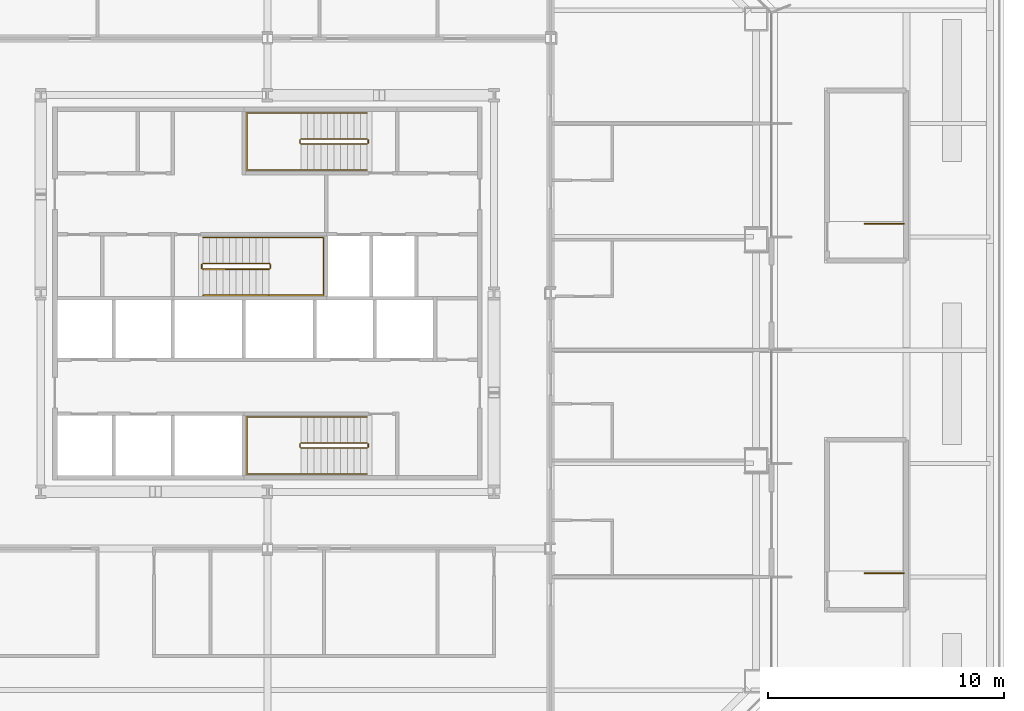
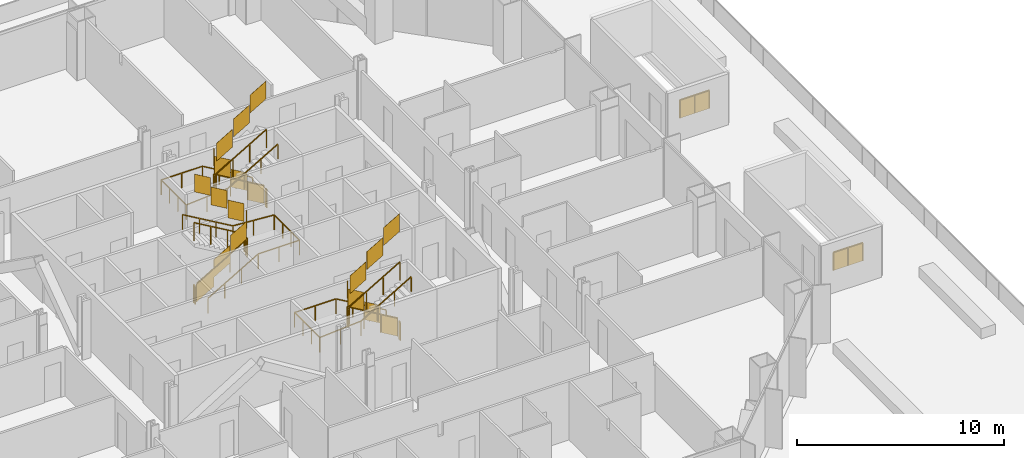
# One storey, part 18 of 18: 11 railings.
"""IFC4 building model written with IfcOpenShell, lengths in metres."""

from ifc_helpers import new_model, si_unit, direction, frame, origin, origin_2d, place, context, subcontext, project, spatial, polyline, rectangle, outline, extrude, material, type_object, element, save


model = new_model("IFC4")

# Units and contexts
model_context = context("Model", 3, precision=1e-05, world=origin(), true_north=direction((0.0, 1.0)))
body_context = subcontext(model_context, "Body", "Model", "MODEL_VIEW")
ifc_project = project(units=[si_unit("LENGTHUNIT", "METRE"), si_unit("AREAUNIT", "SQUARE_METRE"), si_unit("VOLUMEUNIT", "CUBIC_METRE"), si_unit("PLANEANGLEUNIT", "RADIAN"), si_unit("MASSUNIT", "GRAM", prefix="KILO")], contexts=[model_context])

# Site, building, storey
site_placement = place(None, origin())
site = spatial("IfcSite", under=ifc_project, at=site_placement, CompositionType="ELEMENT")
building_placement = place(site_placement, origin())
building = spatial("IfcBuilding", under=site, at=building_placement, Name="Cairn Pilgrim Tower", CompositionType="ELEMENT")
storey_placement = place(building_placement, frame((0.0, 0.0, 40.199951171875)))
storey = spatial("IfcBuildingStorey", under=building, at=storey_placement, Name="L07", CompositionType="ELEMENT", Elevation=40.199951171875)

# Railings
ifc_material = material(Name="Painted steel", Category="steel")
railing_type_1 = type_object("IfcRailingType", Name="PODIUM STAIR GUARD 1100", PredefinedType="GUARDRAIL", material=ifc_material)
for number, where, name in (
    (1, (34.14990234375, -9.449951171875, 0.0), "L07 ST-ES2 top well guard 1"),
    (2, (34.14990234375, 5.35009765625, 0.0), "L07 ST-ES3 top well guard 1"),
):
    element("IfcRailing", number, at=place(storey_placement, frame(where)), inside=storey, type_object=railing_type_1, Name=name, PredefinedType="GUARDRAIL", context=body_context, shape_type="SweptSolid", body=[
        extrude(rectangle(XDim=0.048095703125, YDim=0.048095703125, at=origin_2d()), frame((0.0, 0.0, 1.076171875), z_axis=(-1.0, 0.0, 0.0), x_axis=(0.0, -1.0, 0.0)), (0.0, 0.0, 1.0), 1.64990234375),
        extrude(rectangle(XDim=0.0419921875, YDim=0.0419921875, at=origin_2d()), origin(), (0.0, 0.0, 1.0), 1.052001953125),
        extrude(rectangle(XDim=0.0419921875, YDim=0.0419921875, at=origin_2d()), frame((-0.824951171875, 0.0, 0.0)), (0.0, 0.0, 1.0), 1.052001953125),
        extrude(rectangle(XDim=0.0419921875, YDim=0.0419921875, at=origin_2d()), frame((-1.64990234375, 0.0, 0.0)), (0.0, 0.0, 1.0), 1.052001953125),
        extrude(outline(polyline([(0.02099609375, 0.0), (0.803955078125, 0.0), (0.803955078125, 1.052001953125), (0.02099609375, 1.052001953125), (0.02099609375, 0.0)])), frame((0.0, -0.005859375, 0.0), z_axis=(0.0, 1.0, 0.0), x_axis=(-1.0, 0.0, 0.0)), (0.0, 0.0, 1.0), 0.011962890625),
        extrude(outline(polyline([(0.02099609375, 0.0), (0.803955078125, 0.0), (0.803955078125, 1.052001953125), (0.02099609375, 1.052001953125), (0.02099609375, 0.0)])), frame((-0.824951171875, -0.005859375, 0.0), z_axis=(0.0, 1.0, 0.0), x_axis=(-1.0, 0.0, 0.0)), (0.0, 0.0, 1.0), 0.011962890625),
    ])
railing_type_2 = type_object("IfcRailingType", Name="STAIR GUARD 1100", PredefinedType="GUARDRAIL", material=ifc_material)
railing_1_placement = place(storey_placement, frame((11.425048828125, -3.925048828125, 0.16357421875)))
element("IfcRailing", 3, at=railing_1_placement, inside=storey, type_object=railing_type_2, Name="L07 ST-A stair guard 1", PredefinedType="GUARDRAIL", context=body_context, shape_type="SweptSolid", body=[
    extrude(rectangle(XDim=0.048095703125, YDim=0.048095703125, at=origin_2d()), frame((0.0, 0.0, 1.076171875), z_axis=(-0.863360870873, 0.0, 0.504586966384), x_axis=(0.0, -1.0, 0.0)), (0.0, 0.0, 1.0), 3.2431640625),
    extrude(rectangle(XDim=0.048095703125, YDim=0.048095703125, at=origin_2d()), frame((-2.800048828125, 0.0, 2.71240234375), z_axis=(-0.707106781187, -0.707106781187, 0.0), x_axis=(0.707106781187, -0.707106781187, 0.0)), (0.0, 0.0, 1.0), 0.07080078125),
    extrude(rectangle(XDim=0.048095703125, YDim=0.048095703125, at=origin_2d()), frame((-2.85009765625, -0.050048828125, 2.71240234375), z_axis=(0.0, -1.0, 0.0), x_axis=(1.0, 0.0, 0.0)), (0.0, 0.0, 1.0), 0.125),
    extrude(rectangle(XDim=0.048095703125, YDim=0.048095703125, at=origin_2d()), frame((-2.85009765625, -0.175048828125, 2.71240234375), z_axis=(0.280916556609, -0.279546231943, 0.91811752648), x_axis=(0.705375805398, 0.708833529934, 0.0)), (0.0, 0.0, 1.0), 0.17822265625),
    extrude(rectangle(XDim=0.048095703125, YDim=0.048095703125, at=origin_2d()), frame((-2.800048828125, -0.224853515625, 2.8759765625), z_axis=(0.863360870873, 0.0, 0.504586966384), x_axis=(0.0, 1.0, 0.0)), (0.0, 0.0, 1.0), 3.2431640625),
    extrude(rectangle(XDim=0.0419921875, YDim=0.0419921875, at=origin_2d()), origin(), (0.0, 0.0, 1.0), 1.052001953125),
    extrude(rectangle(XDim=0.0419921875, YDim=0.0419921875, at=origin_2d()), frame((-0.933349609375, 0.0, 0.54541015625)), (0.0, 0.0, 1.0), 1.052001953125),
    extrude(rectangle(XDim=0.0419921875, YDim=0.0419921875, at=origin_2d()), frame((-1.86669921875, 0.0, 1.091064453125)), (0.0, 0.0, 1.0), 1.052001953125),
    extrude(rectangle(XDim=0.0419921875, YDim=0.0419921875, at=origin_2d()), frame((-2.800048828125, 0.0, 1.636474609375)), (0.0, 0.0, 1.0), 1.052001953125),
    extrude(rectangle(XDim=0.0419921875, YDim=0.0419921875, at=origin_2d()), frame((-2.85009765625, -0.050048828125, 1.636474609375)), (0.0, 0.0, 1.0), 1.052001953125),
    extrude(rectangle(XDim=0.0419921875, YDim=0.0419921875, at=origin_2d()), frame((-2.85009765625, -0.175048828125, 1.636474609375)), (0.0, 0.0, 1.0), 1.052001953125),
    extrude(rectangle(XDim=0.0419921875, YDim=0.0419921875, at=origin_2d()), frame((-2.800048828125, -0.224853515625, 1.800048828125)), (0.0, 0.0, 1.0), 1.052001953125),
    extrude(rectangle(XDim=0.0419921875, YDim=0.0419921875, at=origin_2d()), frame((-1.86669921875, -0.224853515625, 2.345458984375)), (0.0, 0.0, 1.0), 1.052001953125),
    extrude(rectangle(XDim=0.0419921875, YDim=0.0419921875, at=origin_2d()), frame((-0.933349609375, -0.224853515625, 2.89111328125)), (0.0, 0.0, 1.0), 1.052001953125),
    extrude(rectangle(XDim=0.0419921875, YDim=0.0419921875, at=origin_2d()), frame((0.0, -0.224853515625, 3.4365234375)), (0.0, 0.0, 1.0), 1.052001953125),
    extrude(outline(polyline([(0.02099609375, 0.01220703125), (0.912353515625, 0.533203125), (0.912353515625, 1.585205078125), (0.02099609375, 1.064208984375), (0.02099609375, 0.01220703125)])), frame((0.0, -0.005859375, 0.0), z_axis=(0.0, 1.0, 0.0), x_axis=(-1.0, 0.0, 0.0)), (0.0, 0.0, 1.0), 0.011962890625),
    extrude(outline(polyline([(0.02099609375, 0.557861328125), (0.912353515625, 1.07861328125), (0.912353515625, 2.130615234375), (0.02099609375, 1.60986328125), (0.02099609375, 0.557861328125)])), frame((-0.933349609375, -0.005859375, 0.54541015625), z_axis=(0.0, 1.0, 0.0), x_axis=(-1.0, 0.0, 0.0)), (0.0, 0.0, 1.0), 0.011962890625),
    extrude(outline(polyline([(0.02099609375, 1.103271484375), (0.912353515625, 1.624267578125), (0.912353515625, 2.67626953125), (0.02099609375, 2.1552734375), (0.02099609375, 1.103271484375)])), frame((-1.86669921875, -0.005859375, 1.091064453125), z_axis=(0.0, 1.0, 0.0), x_axis=(-1.0, 0.0, 0.0)), (0.0, 0.0, 1.0), 0.011962890625),
    extrude(outline(polyline([(0.02099609375, 1.636474609375), (0.10400390625, 1.636474609375), (0.10400390625, 2.6884765625), (0.02099609375, 2.6884765625), (0.02099609375, 1.636474609375)])), frame((-2.84423828125, -0.050048828125, 1.636474609375), z_axis=(-1.0, 0.0, 0.0), x_axis=(0.0, -1.0, 0.0)), (0.0, 0.0, 1.0), 0.011962890625),
    extrude(outline(polyline([(0.02099609375, 1.812255859375), (0.912353515625, 2.333251953125), (0.912353515625, 3.38525390625), (0.02099609375, 2.8642578125), (0.02099609375, 1.812255859375)])), frame((-2.800048828125, -0.21875, 1.800048828125), z_axis=(0.0, -1.0, 0.0), x_axis=(1.0, 0.0, 0.0)), (0.0, 0.0, 1.0), 0.011962890625),
    extrude(outline(polyline([(0.02099609375, 2.35791015625), (0.912353515625, 2.878662109375), (0.912353515625, 3.9306640625), (0.02099609375, 3.409912109375), (0.02099609375, 2.35791015625)])), frame((-1.86669921875, -0.21875, 2.345458984375), z_axis=(0.0, -1.0, 0.0), x_axis=(1.0, 0.0, 0.0)), (0.0, 0.0, 1.0), 0.011962890625),
    extrude(outline(polyline([(0.02099609375, 2.9033203125), (0.912353515625, 3.42431640625), (0.912353515625, 4.476318359375), (0.02099609375, 3.955322265625), (0.02099609375, 2.9033203125)])), frame((-0.933349609375, -0.21875, 2.89111328125), z_axis=(0.0, -1.0, 0.0), x_axis=(1.0, 0.0, 0.0)), (0.0, 0.0, 1.0), 0.011962890625),
])
railing_2_placement = place(storey_placement, frame((11.47509765625, -3.97509765625, 0.0)))
element("IfcRailing", 4, at=railing_2_placement, inside=storey, type_object=railing_type_2, Name="L07 ST-A stair guard 2", PredefinedType="GUARDRAIL", context=body_context, shape_type="SweptSolid", body=[
    extrude(rectangle(XDim=0.048095703125, YDim=0.048095703125, at=origin_2d()), frame((0.0, 0.0, 1.076171875), z_axis=(0.0, -1.0, 0.0), x_axis=(1.0, 0.0, 0.0)), (0.0, 0.0, 1.0), 0.125),
    extrude(rectangle(XDim=0.0419921875, YDim=0.0419921875, at=origin_2d()), origin(), (0.0, 0.0, 1.0), 1.052001953125),
    extrude(rectangle(XDim=0.0419921875, YDim=0.0419921875, at=origin_2d()), frame((0.0, -0.125, 0.0)), (0.0, 0.0, 1.0), 1.052001953125),
    extrude(outline(polyline([(0.02099609375, 0.0), (0.10400390625, 0.0), (0.10400390625, 1.052001953125), (0.02099609375, 1.052001953125), (0.02099609375, 0.0)])), frame((0.005859375, 0.0, 0.0), z_axis=(-1.0, 0.0, 0.0), x_axis=(0.0, -1.0, 0.0)), (0.0, 0.0, 1.0), 0.011962890625),
])
railing_3_placement = place(storey_placement, frame((4.47509765625, 3.425048828125, 0.16357421875)))
element("IfcRailing", 5, at=railing_3_placement, inside=storey, type_object=railing_type_2, Name="L07 ST-B stair guard 1", PredefinedType="GUARDRAIL", context=body_context, shape_type="SweptSolid", body=[
    extrude(rectangle(XDim=0.048095703125, YDim=0.048095703125, at=origin_2d()), frame((0.0, 0.0, 1.076171875), z_axis=(0.863341702679, 0.0, 0.504619762213), x_axis=(0.0, 1.0, 0.0)), (0.0, 0.0, 1.0), 3.242919921875),
    extrude(rectangle(XDim=0.048095703125, YDim=0.048095703125, at=origin_2d()), frame((2.7998046875, 0.0, 2.71240234375), z_axis=(0.707106781187, 0.707106781187, 0.0), x_axis=(-0.707106781187, 0.707106781187, 0.0)), (0.0, 0.0, 1.0), 0.07080078125),
    extrude(rectangle(XDim=0.048095703125, YDim=0.048095703125, at=origin_2d()), frame((2.849853515625, 0.050048828125, 2.71240234375), z_axis=(0.0, 1.0, 0.0), x_axis=(-1.0, 0.0, 0.0)), (0.0, 0.0, 1.0), 0.14990234375),
    extrude(rectangle(XDim=0.048095703125, YDim=0.048095703125, at=origin_2d()), frame((2.849853515625, 0.199951171875, 2.71240234375), z_axis=(-0.280808744504, 0.280808744504, 0.917765164963), x_axis=(-0.707106781187, -0.707106781187, 0.0)), (0.0, 0.0, 1.0), 0.17822265625),
    extrude(rectangle(XDim=0.048095703125, YDim=0.048095703125, at=origin_2d()), frame((2.7998046875, 0.25, 2.8759765625), z_axis=(-0.863341702679, 0.0, 0.504619762213), x_axis=(0.0, -1.0, 0.0)), (0.0, 0.0, 1.0), 3.242919921875),
    extrude(rectangle(XDim=0.0419921875, YDim=0.0419921875, at=origin_2d()), origin(), (0.0, 0.0, 1.0), 1.052001953125),
    extrude(rectangle(XDim=0.0419921875, YDim=0.0419921875, at=origin_2d()), frame((0.933349609375, 0.0, 0.54541015625)), (0.0, 0.0, 1.0), 1.052001953125),
    extrude(rectangle(XDim=0.0419921875, YDim=0.0419921875, at=origin_2d()), frame((1.866455078125, 0.0, 1.091064453125)), (0.0, 0.0, 1.0), 1.052001953125),
    extrude(rectangle(XDim=0.0419921875, YDim=0.0419921875, at=origin_2d()), frame((2.7998046875, 0.0, 1.636474609375)), (0.0, 0.0, 1.0), 1.052001953125),
    extrude(rectangle(XDim=0.0419921875, YDim=0.0419921875, at=origin_2d()), frame((2.849853515625, 0.050048828125, 1.636474609375)), (0.0, 0.0, 1.0), 1.052001953125),
    extrude(rectangle(XDim=0.0419921875, YDim=0.0419921875, at=origin_2d()), frame((2.849853515625, 0.199951171875, 1.636474609375)), (0.0, 0.0, 1.0), 1.052001953125),
    extrude(rectangle(XDim=0.0419921875, YDim=0.0419921875, at=origin_2d()), frame((2.7998046875, 0.25, 1.800048828125)), (0.0, 0.0, 1.0), 1.052001953125),
    extrude(rectangle(XDim=0.0419921875, YDim=0.0419921875, at=origin_2d()), frame((1.866455078125, 0.25, 2.345458984375)), (0.0, 0.0, 1.0), 1.052001953125),
    extrude(rectangle(XDim=0.0419921875, YDim=0.0419921875, at=origin_2d()), frame((0.933349609375, 0.25, 2.89111328125)), (0.0, 0.0, 1.0), 1.052001953125),
    extrude(rectangle(XDim=0.0419921875, YDim=0.0419921875, at=origin_2d()), frame((0.0, 0.25, 3.4365234375)), (0.0, 0.0, 1.0), 1.052001953125),
    extrude(outline(polyline([(0.02099609375, 0.01220703125), (0.912353515625, 0.533203125), (0.912353515625, 1.585205078125), (0.02099609375, 1.064208984375), (0.02099609375, 0.01220703125)])), frame((0.0, 0.005859375, 0.0), z_axis=(0.0, -1.0, 0.0), x_axis=(1.0, 0.0, 0.0)), (0.0, 0.0, 1.0), 0.011962890625),
    extrude(outline(polyline([(0.02099609375, 0.557861328125), (0.912353515625, 1.07861328125), (0.912353515625, 2.130615234375), (0.02099609375, 1.60986328125), (0.02099609375, 0.557861328125)])), frame((0.933349609375, 0.005859375, 0.54541015625), z_axis=(0.0, -1.0, 0.0), x_axis=(1.0, 0.0, 0.0)), (0.0, 0.0, 1.0), 0.011962890625),
    extrude(outline(polyline([(0.02099609375, 1.103271484375), (0.912353515625, 1.624267578125), (0.912353515625, 2.67626953125), (0.02099609375, 2.1552734375), (0.02099609375, 1.103271484375)])), frame((1.866455078125, 0.005859375, 1.091064453125), z_axis=(0.0, -1.0, 0.0), x_axis=(1.0, 0.0, 0.0)), (0.0, 0.0, 1.0), 0.011962890625),
    extrude(outline(polyline([(0.02099609375, 1.636474609375), (0.12890625, 1.636474609375), (0.12890625, 2.6884765625), (0.02099609375, 2.6884765625), (0.02099609375, 1.636474609375)])), frame((2.84375, 0.050048828125, 1.636474609375), z_axis=(1.0, 0.0, 0.0), x_axis=(0.0, 1.0, 0.0)), (0.0, 0.0, 1.0), 0.011962890625),
    extrude(outline(polyline([(0.02099609375, 1.812255859375), (0.912353515625, 2.333251953125), (0.912353515625, 3.38525390625), (0.02099609375, 2.8642578125), (0.02099609375, 1.812255859375)])), frame((2.7998046875, 0.244140625, 1.800048828125), z_axis=(0.0, 1.0, 0.0), x_axis=(-1.0, 0.0, 0.0)), (0.0, 0.0, 1.0), 0.011962890625),
    extrude(outline(polyline([(0.02099609375, 2.35791015625), (0.912353515625, 2.878662109375), (0.912353515625, 3.9306640625), (0.02099609375, 3.409912109375), (0.02099609375, 2.35791015625)])), frame((1.866455078125, 0.244140625, 2.345458984375), z_axis=(0.0, 1.0, 0.0), x_axis=(-1.0, 0.0, 0.0)), (0.0, 0.0, 1.0), 0.011962890625),
    extrude(outline(polyline([(0.02099609375, 2.9033203125), (0.912353515625, 3.42431640625), (0.912353515625, 4.476318359375), (0.02099609375, 3.955322265625), (0.02099609375, 2.9033203125)])), frame((0.933349609375, 0.244140625, 2.89111328125), z_axis=(0.0, 1.0, 0.0), x_axis=(-1.0, 0.0, 0.0)), (0.0, 0.0, 1.0), 0.011962890625),
])
railing_4_placement = place(storey_placement, frame((4.425048828125, 3.47509765625, 0.0)))
element("IfcRailing", 6, at=railing_4_placement, inside=storey, type_object=railing_type_2, Name="L07 ST-B stair guard 2", PredefinedType="GUARDRAIL", context=body_context, shape_type="SweptSolid", body=[
    extrude(rectangle(XDim=0.048095703125, YDim=0.048095703125, at=origin_2d()), frame((0.0, 0.0, 1.076171875), z_axis=(0.0, 1.0, 0.0), x_axis=(-1.0, 0.0, 0.0)), (0.0, 0.0, 1.0), 0.14990234375),
    extrude(rectangle(XDim=0.0419921875, YDim=0.0419921875, at=origin_2d()), origin(), (0.0, 0.0, 1.0), 1.052001953125),
    extrude(rectangle(XDim=0.0419921875, YDim=0.0419921875, at=origin_2d()), frame((0.0, 0.14990234375, 0.0)), (0.0, 0.0, 1.0), 1.052001953125),
    extrude(outline(polyline([(0.02099609375, 0.0), (0.12890625, 0.0), (0.12890625, 1.052001953125), (0.02099609375, 1.052001953125), (0.02099609375, 0.0)])), frame((-0.005859375, 0.0, 0.0), z_axis=(1.0, 0.0, 0.0), x_axis=(0.0, 1.0, 0.0)), (0.0, 0.0, 1.0), 0.011962890625),
])
railing_5_placement = place(storey_placement, frame((11.425048828125, 8.949951171875, 0.16357421875)))
element("IfcRailing", 7, at=railing_5_placement, inside=storey, type_object=railing_type_2, Name="L07 ST-C stair guard 1", PredefinedType="GUARDRAIL", context=body_context, shape_type="SweptSolid", body=[
    extrude(rectangle(XDim=0.048095703125, YDim=0.048095703125, at=origin_2d()), frame((0.0, 0.0, 1.076171875), z_axis=(-0.863360870873, 0.0, 0.504586966384), x_axis=(0.0, -1.0, 0.0)), (0.0, 0.0, 1.0), 3.2431640625),
    extrude(rectangle(XDim=0.048095703125, YDim=0.048095703125, at=origin_2d()), frame((-2.800048828125, 0.0, 2.71240234375), z_axis=(-0.707106781187, -0.707106781187, 0.0), x_axis=(0.707106781187, -0.707106781187, 0.0)), (0.0, 0.0, 1.0), 0.07080078125),
    extrude(rectangle(XDim=0.048095703125, YDim=0.048095703125, at=origin_2d()), frame((-2.85009765625, -0.050048828125, 2.71240234375), z_axis=(0.0, -1.0, 0.0), x_axis=(1.0, 0.0, 0.0)), (0.0, 0.0, 1.0), 0.125),
    extrude(rectangle(XDim=0.048095703125, YDim=0.048095703125, at=origin_2d()), frame((-2.85009765625, -0.175048828125, 2.71240234375), z_axis=(0.280916556609, -0.279546231943, 0.91811752648), x_axis=(0.705375805398, 0.708833529934, 0.0)), (0.0, 0.0, 1.0), 0.17822265625),
    extrude(rectangle(XDim=0.048095703125, YDim=0.048095703125, at=origin_2d()), frame((-2.800048828125, -0.224853515625, 2.8759765625), z_axis=(0.863360870873, 0.0, 0.504586966384), x_axis=(0.0, 1.0, 0.0)), (0.0, 0.0, 1.0), 3.2431640625),
    extrude(rectangle(XDim=0.0419921875, YDim=0.0419921875, at=origin_2d()), origin(), (0.0, 0.0, 1.0), 1.052001953125),
    extrude(rectangle(XDim=0.0419921875, YDim=0.0419921875, at=origin_2d()), frame((-0.933349609375, 0.0, 0.54541015625)), (0.0, 0.0, 1.0), 1.052001953125),
    extrude(rectangle(XDim=0.0419921875, YDim=0.0419921875, at=origin_2d()), frame((-1.86669921875, 0.0, 1.091064453125)), (0.0, 0.0, 1.0), 1.052001953125),
    extrude(rectangle(XDim=0.0419921875, YDim=0.0419921875, at=origin_2d()), frame((-2.800048828125, 0.0, 1.636474609375)), (0.0, 0.0, 1.0), 1.052001953125),
    extrude(rectangle(XDim=0.0419921875, YDim=0.0419921875, at=origin_2d()), frame((-2.85009765625, -0.050048828125, 1.636474609375)), (0.0, 0.0, 1.0), 1.052001953125),
    extrude(rectangle(XDim=0.0419921875, YDim=0.0419921875, at=origin_2d()), frame((-2.85009765625, -0.175048828125, 1.636474609375)), (0.0, 0.0, 1.0), 1.052001953125),
    extrude(rectangle(XDim=0.0419921875, YDim=0.0419921875, at=origin_2d()), frame((-2.800048828125, -0.224853515625, 1.800048828125)), (0.0, 0.0, 1.0), 1.052001953125),
    extrude(rectangle(XDim=0.0419921875, YDim=0.0419921875, at=origin_2d()), frame((-1.86669921875, -0.224853515625, 2.345458984375)), (0.0, 0.0, 1.0), 1.052001953125),
    extrude(rectangle(XDim=0.0419921875, YDim=0.0419921875, at=origin_2d()), frame((-0.933349609375, -0.224853515625, 2.89111328125)), (0.0, 0.0, 1.0), 1.052001953125),
    extrude(rectangle(XDim=0.0419921875, YDim=0.0419921875, at=origin_2d()), frame((0.0, -0.224853515625, 3.4365234375)), (0.0, 0.0, 1.0), 1.052001953125),
    extrude(outline(polyline([(0.02099609375, 0.01220703125), (0.912353515625, 0.533203125), (0.912353515625, 1.585205078125), (0.02099609375, 1.064208984375), (0.02099609375, 0.01220703125)])), frame((0.0, -0.005859375, 0.0), z_axis=(0.0, 1.0, 0.0), x_axis=(-1.0, 0.0, 0.0)), (0.0, 0.0, 1.0), 0.011962890625),
    extrude(outline(polyline([(0.02099609375, 0.557861328125), (0.912353515625, 1.07861328125), (0.912353515625, 2.130615234375), (0.02099609375, 1.60986328125), (0.02099609375, 0.557861328125)])), frame((-0.933349609375, -0.005859375, 0.54541015625), z_axis=(0.0, 1.0, 0.0), x_axis=(-1.0, 0.0, 0.0)), (0.0, 0.0, 1.0), 0.011962890625),
    extrude(outline(polyline([(0.02099609375, 1.103271484375), (0.912353515625, 1.624267578125), (0.912353515625, 2.67626953125), (0.02099609375, 2.1552734375), (0.02099609375, 1.103271484375)])), frame((-1.86669921875, -0.005859375, 1.091064453125), z_axis=(0.0, 1.0, 0.0), x_axis=(-1.0, 0.0, 0.0)), (0.0, 0.0, 1.0), 0.011962890625),
    extrude(outline(polyline([(0.02099609375, 1.636474609375), (0.10400390625, 1.636474609375), (0.10400390625, 2.6884765625), (0.02099609375, 2.6884765625), (0.02099609375, 1.636474609375)])), frame((-2.84423828125, -0.050048828125, 1.636474609375), z_axis=(-1.0, 0.0, 0.0), x_axis=(0.0, -1.0, 0.0)), (0.0, 0.0, 1.0), 0.011962890625),
    extrude(outline(polyline([(0.02099609375, 1.812255859375), (0.912353515625, 2.333251953125), (0.912353515625, 3.38525390625), (0.02099609375, 2.8642578125), (0.02099609375, 1.812255859375)])), frame((-2.800048828125, -0.21875, 1.800048828125), z_axis=(0.0, -1.0, 0.0), x_axis=(1.0, 0.0, 0.0)), (0.0, 0.0, 1.0), 0.011962890625),
    extrude(outline(polyline([(0.02099609375, 2.35791015625), (0.912353515625, 2.878662109375), (0.912353515625, 3.9306640625), (0.02099609375, 3.409912109375), (0.02099609375, 2.35791015625)])), frame((-1.86669921875, -0.21875, 2.345458984375), z_axis=(0.0, -1.0, 0.0), x_axis=(1.0, 0.0, 0.0)), (0.0, 0.0, 1.0), 0.011962890625),
    extrude(outline(polyline([(0.02099609375, 2.9033203125), (0.912353515625, 3.42431640625), (0.912353515625, 4.476318359375), (0.02099609375, 3.955322265625), (0.02099609375, 2.9033203125)])), frame((-0.933349609375, -0.21875, 2.89111328125), z_axis=(0.0, -1.0, 0.0), x_axis=(1.0, 0.0, 0.0)), (0.0, 0.0, 1.0), 0.011962890625),
])
railing_6_placement = place(storey_placement, frame((11.47509765625, 8.89990234375, 0.0)))
element("IfcRailing", 8, at=railing_6_placement, inside=storey, type_object=railing_type_2, Name="L07 ST-C stair guard 2", PredefinedType="GUARDRAIL", context=body_context, shape_type="SweptSolid", body=[
    extrude(rectangle(XDim=0.048095703125, YDim=0.048095703125, at=origin_2d()), frame((0.0, 0.0, 1.076171875), z_axis=(0.0, -1.0, 0.0), x_axis=(1.0, 0.0, 0.0)), (0.0, 0.0, 1.0), 0.125),
    extrude(rectangle(XDim=0.0419921875, YDim=0.0419921875, at=origin_2d()), origin(), (0.0, 0.0, 1.0), 1.052001953125),
    extrude(rectangle(XDim=0.0419921875, YDim=0.0419921875, at=origin_2d()), frame((0.0, -0.125, 0.0)), (0.0, 0.0, 1.0), 1.052001953125),
    extrude(outline(polyline([(0.02099609375, 0.0), (0.10400390625, 0.0), (0.10400390625, 1.052001953125), (0.02099609375, 1.052001953125), (0.02099609375, 0.0)])), frame((0.005859375, 0.0, 0.0), z_axis=(-1.0, 0.0, 0.0), x_axis=(0.0, -1.0, 0.0)), (0.0, 0.0, 1.0), 0.011962890625),
])
railing_type_3 = type_object("IfcRailingType", Name="STAIR HANDRAIL 900", PredefinedType="HANDRAIL", material=ifc_material)
railing_7_placement = place(storey_placement, frame((11.425048828125, -2.824951171875, 0.16357421875)))
element("IfcRailing", 9, at=railing_7_placement, inside=storey, type_object=railing_type_3, Name="L07 ST-A stair handrail 1", PredefinedType="HANDRAIL", context=body_context, shape_type="SweptSolid", body=[
    extrude(rectangle(XDim=0.048095703125, YDim=0.048095703125, at=origin_2d()), frame((0.0, 0.0, 0.8759765625), z_axis=(-0.863360870873, 0.0, 0.504586966384), x_axis=(0.0, -1.0, 0.0)), (0.0, 0.0, 1.0), 3.2431640625),
    extrude(rectangle(XDim=0.048095703125, YDim=0.048095703125, at=origin_2d()), frame((-2.800048828125, 0.0, 2.51220703125), z_axis=(-1.0, 0.0, 0.0), x_axis=(0.0, -1.0, 0.0)), (0.0, 0.0, 1.0), 2.300048828125),
    extrude(rectangle(XDim=0.048095703125, YDim=0.048095703125, at=origin_2d()), frame((-5.10009765625, 0.0, 2.51220703125), z_axis=(0.0, -1.0, 0.0), x_axis=(1.0, 0.0, 0.0)), (0.0, 0.0, 1.0), 2.425048828125),
    extrude(rectangle(XDim=0.048095703125, YDim=0.048095703125, at=origin_2d()), frame((-5.10009765625, -2.425048828125, 2.51220703125), z_axis=(0.997480687736, 0.0, 0.070938548008), x_axis=(0.0, 1.0, 0.0)), (0.0, 0.0, 1.0), 2.305908203125),
    extrude(rectangle(XDim=0.048095703125, YDim=0.048095703125, at=origin_2d()), frame((-2.800048828125, -2.425048828125, 2.67578125), z_axis=(0.863360870873, 0.0, 0.504586966384), x_axis=(0.0, 1.0, 0.0)), (0.0, 0.0, 1.0), 3.2431640625),
    extrude(rectangle(XDim=0.0419921875, YDim=0.0419921875, at=origin_2d()), origin(), (0.0, 0.0, 1.0), 0.851806640625),
    extrude(rectangle(XDim=0.0419921875, YDim=0.0419921875, at=origin_2d()), frame((-0.933349609375, 0.0, 0.54541015625)), (0.0, 0.0, 1.0), 0.851806640625),
    extrude(rectangle(XDim=0.0419921875, YDim=0.0419921875, at=origin_2d()), frame((-1.86669921875, 0.0, 1.091064453125)), (0.0, 0.0, 1.0), 0.851806640625),
    extrude(rectangle(XDim=0.0419921875, YDim=0.0419921875, at=origin_2d()), frame((-2.800048828125, 0.0, 1.636474609375)), (0.0, 0.0, 1.0), 0.851806640625),
    extrude(rectangle(XDim=0.0419921875, YDim=0.0419921875, at=origin_2d()), frame((-3.9501953125, 0.0, 1.636474609375)), (0.0, 0.0, 1.0), 0.851806640625),
    extrude(rectangle(XDim=0.0419921875, YDim=0.0419921875, at=origin_2d()), frame((-5.10009765625, 0.0, 1.636474609375)), (0.0, 0.0, 1.0), 0.851806640625),
    extrude(rectangle(XDim=0.0419921875, YDim=0.0419921875, at=origin_2d()), frame((-5.10009765625, -0.808349609375, 1.636474609375)), (0.0, 0.0, 1.0), 0.851806640625),
    extrude(rectangle(XDim=0.0419921875, YDim=0.0419921875, at=origin_2d()), frame((-5.10009765625, -1.61669921875, 1.636474609375)), (0.0, 0.0, 1.0), 0.851806640625),
    extrude(rectangle(XDim=0.0419921875, YDim=0.0419921875, at=origin_2d()), frame((-5.10009765625, -2.425048828125, 1.636474609375)), (0.0, 0.0, 1.0), 0.851806640625),
    extrude(rectangle(XDim=0.0419921875, YDim=0.0419921875, at=origin_2d()), frame((-3.9501953125, -2.425048828125, 1.71826171875)), (0.0, 0.0, 1.0), 0.851806640625),
    extrude(rectangle(XDim=0.0419921875, YDim=0.0419921875, at=origin_2d()), frame((-2.800048828125, -2.425048828125, 1.800048828125)), (0.0, 0.0, 1.0), 0.851806640625),
    extrude(rectangle(XDim=0.0419921875, YDim=0.0419921875, at=origin_2d()), frame((-1.86669921875, -2.425048828125, 2.345458984375)), (0.0, 0.0, 1.0), 0.851806640625),
    extrude(rectangle(XDim=0.0419921875, YDim=0.0419921875, at=origin_2d()), frame((-0.933349609375, -2.425048828125, 2.89111328125)), (0.0, 0.0, 1.0), 0.851806640625),
    extrude(rectangle(XDim=0.0419921875, YDim=0.0419921875, at=origin_2d()), frame((0.0, -2.425048828125, 3.4365234375)), (0.0, 0.0, 1.0), 0.851806640625),
])
railing_8_placement = place(storey_placement, frame((4.47509765625, 2.324951171875, 0.16357421875)))
element("IfcRailing", 10, at=railing_8_placement, inside=storey, type_object=railing_type_3, Name="L07 ST-B stair handrail 1", PredefinedType="HANDRAIL", context=body_context, shape_type="SweptSolid", body=[
    extrude(rectangle(XDim=0.048095703125, YDim=0.048095703125, at=origin_2d()), frame((0.0, 0.0, 0.8759765625), z_axis=(0.863341702679, 0.0, 0.504619762213), x_axis=(0.0, 1.0, 0.0)), (0.0, 0.0, 1.0), 3.242919921875),
    extrude(rectangle(XDim=0.048095703125, YDim=0.048095703125, at=origin_2d()), frame((2.7998046875, 0.0, 2.51220703125), z_axis=(1.0, 0.0, 0.0), x_axis=(0.0, 1.0, 0.0)), (0.0, 0.0, 1.0), 2.300048828125),
    extrude(rectangle(XDim=0.048095703125, YDim=0.048095703125, at=origin_2d()), frame((5.099853515625, 0.0, 2.51220703125), z_axis=(0.0, 1.0, 0.0), x_axis=(-1.0, 0.0, 0.0)), (0.0, 0.0, 1.0), 2.449951171875),
    extrude(rectangle(XDim=0.048095703125, YDim=0.048095703125, at=origin_2d()), frame((5.099853515625, 2.449951171875, 2.51220703125), z_axis=(-0.997480687736, 0.0, 0.070938548008), x_axis=(0.0, -1.0, 0.0)), (0.0, 0.0, 1.0), 2.305908203125),
    extrude(rectangle(XDim=0.048095703125, YDim=0.048095703125, at=origin_2d()), frame((2.7998046875, 2.449951171875, 2.67578125), z_axis=(-0.863341702679, 0.0, 0.504619762213), x_axis=(0.0, -1.0, 0.0)), (0.0, 0.0, 1.0), 3.242919921875),
    extrude(rectangle(XDim=0.0419921875, YDim=0.0419921875, at=origin_2d()), origin(), (0.0, 0.0, 1.0), 0.851806640625),
    extrude(rectangle(XDim=0.0419921875, YDim=0.0419921875, at=origin_2d()), frame((0.933349609375, 0.0, 0.54541015625)), (0.0, 0.0, 1.0), 0.851806640625),
    extrude(rectangle(XDim=0.0419921875, YDim=0.0419921875, at=origin_2d()), frame((1.866455078125, 0.0, 1.091064453125)), (0.0, 0.0, 1.0), 0.851806640625),
    extrude(rectangle(XDim=0.0419921875, YDim=0.0419921875, at=origin_2d()), frame((2.7998046875, 0.0, 1.636474609375)), (0.0, 0.0, 1.0), 0.851806640625),
    extrude(rectangle(XDim=0.0419921875, YDim=0.0419921875, at=origin_2d()), frame((3.94970703125, 0.0, 1.636474609375)), (0.0, 0.0, 1.0), 0.851806640625),
    extrude(rectangle(XDim=0.0419921875, YDim=0.0419921875, at=origin_2d()), frame((5.099853515625, 0.0, 1.636474609375)), (0.0, 0.0, 1.0), 0.851806640625),
    extrude(rectangle(XDim=0.0419921875, YDim=0.0419921875, at=origin_2d()), frame((5.099853515625, 0.816650390625, 1.636474609375)), (0.0, 0.0, 1.0), 0.851806640625),
    extrude(rectangle(XDim=0.0419921875, YDim=0.0419921875, at=origin_2d()), frame((5.099853515625, 1.63330078125, 1.636474609375)), (0.0, 0.0, 1.0), 0.851806640625),
    extrude(rectangle(XDim=0.0419921875, YDim=0.0419921875, at=origin_2d()), frame((5.099853515625, 2.449951171875, 1.636474609375)), (0.0, 0.0, 1.0), 0.851806640625),
    extrude(rectangle(XDim=0.0419921875, YDim=0.0419921875, at=origin_2d()), frame((3.94970703125, 2.449951171875, 1.71826171875)), (0.0, 0.0, 1.0), 0.851806640625),
    extrude(rectangle(XDim=0.0419921875, YDim=0.0419921875, at=origin_2d()), frame((2.7998046875, 2.449951171875, 1.800048828125)), (0.0, 0.0, 1.0), 0.851806640625),
    extrude(rectangle(XDim=0.0419921875, YDim=0.0419921875, at=origin_2d()), frame((1.866455078125, 2.449951171875, 2.345458984375)), (0.0, 0.0, 1.0), 0.851806640625),
    extrude(rectangle(XDim=0.0419921875, YDim=0.0419921875, at=origin_2d()), frame((0.933349609375, 2.449951171875, 2.89111328125)), (0.0, 0.0, 1.0), 0.851806640625),
    extrude(rectangle(XDim=0.0419921875, YDim=0.0419921875, at=origin_2d()), frame((0.0, 2.449951171875, 3.4365234375)), (0.0, 0.0, 1.0), 0.851806640625),
])
railing_9_placement = place(storey_placement, frame((11.425048828125, 10.050048828125, 0.16357421875)))
element("IfcRailing", 11, at=railing_9_placement, inside=storey, type_object=railing_type_3, Name="L07 ST-C stair handrail 1", PredefinedType="HANDRAIL", context=body_context, shape_type="SweptSolid", body=[
    extrude(rectangle(XDim=0.048095703125, YDim=0.048095703125, at=origin_2d()), frame((0.0, 0.0, 0.8759765625), z_axis=(-0.863360870873, 0.0, 0.504586966384), x_axis=(0.0, -1.0, 0.0)), (0.0, 0.0, 1.0), 3.2431640625),
    extrude(rectangle(XDim=0.048095703125, YDim=0.048095703125, at=origin_2d()), frame((-2.800048828125, 0.0, 2.51220703125), z_axis=(-1.0, 0.0, 0.0), x_axis=(0.0, -1.0, 0.0)), (0.0, 0.0, 1.0), 2.300048828125),
    extrude(rectangle(XDim=0.048095703125, YDim=0.048095703125, at=origin_2d()), frame((-5.10009765625, 0.0, 2.51220703125), z_axis=(0.0, -1.0, 0.0), x_axis=(1.0, 0.0, 0.0)), (0.0, 0.0, 1.0), 2.425048828125),
    extrude(rectangle(XDim=0.048095703125, YDim=0.048095703125, at=origin_2d()), frame((-5.10009765625, -2.425048828125, 2.51220703125), z_axis=(0.997480687736, 0.0, 0.070938548008), x_axis=(0.0, 1.0, 0.0)), (0.0, 0.0, 1.0), 2.305908203125),
    extrude(rectangle(XDim=0.048095703125, YDim=0.048095703125, at=origin_2d()), frame((-2.800048828125, -2.425048828125, 2.67578125), z_axis=(0.863360870873, 0.0, 0.504586966384), x_axis=(0.0, 1.0, 0.0)), (0.0, 0.0, 1.0), 3.2431640625),
    extrude(rectangle(XDim=0.0419921875, YDim=0.0419921875, at=origin_2d()), origin(), (0.0, 0.0, 1.0), 0.851806640625),
    extrude(rectangle(XDim=0.0419921875, YDim=0.0419921875, at=origin_2d()), frame((-0.933349609375, 0.0, 0.54541015625)), (0.0, 0.0, 1.0), 0.851806640625),
    extrude(rectangle(XDim=0.0419921875, YDim=0.0419921875, at=origin_2d()), frame((-1.86669921875, 0.0, 1.091064453125)), (0.0, 0.0, 1.0), 0.851806640625),
    extrude(rectangle(XDim=0.0419921875, YDim=0.0419921875, at=origin_2d()), frame((-2.800048828125, 0.0, 1.636474609375)), (0.0, 0.0, 1.0), 0.851806640625),
    extrude(rectangle(XDim=0.0419921875, YDim=0.0419921875, at=origin_2d()), frame((-3.9501953125, 0.0, 1.636474609375)), (0.0, 0.0, 1.0), 0.851806640625),
    extrude(rectangle(XDim=0.0419921875, YDim=0.0419921875, at=origin_2d()), frame((-5.10009765625, 0.0, 1.636474609375)), (0.0, 0.0, 1.0), 0.851806640625),
    extrude(rectangle(XDim=0.0419921875, YDim=0.0419921875, at=origin_2d()), frame((-5.10009765625, -0.808349609375, 1.636474609375)), (0.0, 0.0, 1.0), 0.851806640625),
    extrude(rectangle(XDim=0.0419921875, YDim=0.0419921875, at=origin_2d()), frame((-5.10009765625, -1.61669921875, 1.636474609375)), (0.0, 0.0, 1.0), 0.851806640625),
    extrude(rectangle(XDim=0.0419921875, YDim=0.0419921875, at=origin_2d()), frame((-5.10009765625, -2.425048828125, 1.636474609375)), (0.0, 0.0, 1.0), 0.851806640625),
    extrude(rectangle(XDim=0.0419921875, YDim=0.0419921875, at=origin_2d()), frame((-3.9501953125, -2.425048828125, 1.71826171875)), (0.0, 0.0, 1.0), 0.851806640625),
    extrude(rectangle(XDim=0.0419921875, YDim=0.0419921875, at=origin_2d()), frame((-2.800048828125, -2.425048828125, 1.800048828125)), (0.0, 0.0, 1.0), 0.851806640625),
    extrude(rectangle(XDim=0.0419921875, YDim=0.0419921875, at=origin_2d()), frame((-1.86669921875, -2.425048828125, 2.345458984375)), (0.0, 0.0, 1.0), 0.851806640625),
    extrude(rectangle(XDim=0.0419921875, YDim=0.0419921875, at=origin_2d()), frame((-0.933349609375, -2.425048828125, 2.89111328125)), (0.0, 0.0, 1.0), 0.851806640625),
    extrude(rectangle(XDim=0.0419921875, YDim=0.0419921875, at=origin_2d()), frame((0.0, -2.425048828125, 3.4365234375)), (0.0, 0.0, 1.0), 0.851806640625),
])

save(model, "model.ifc")
